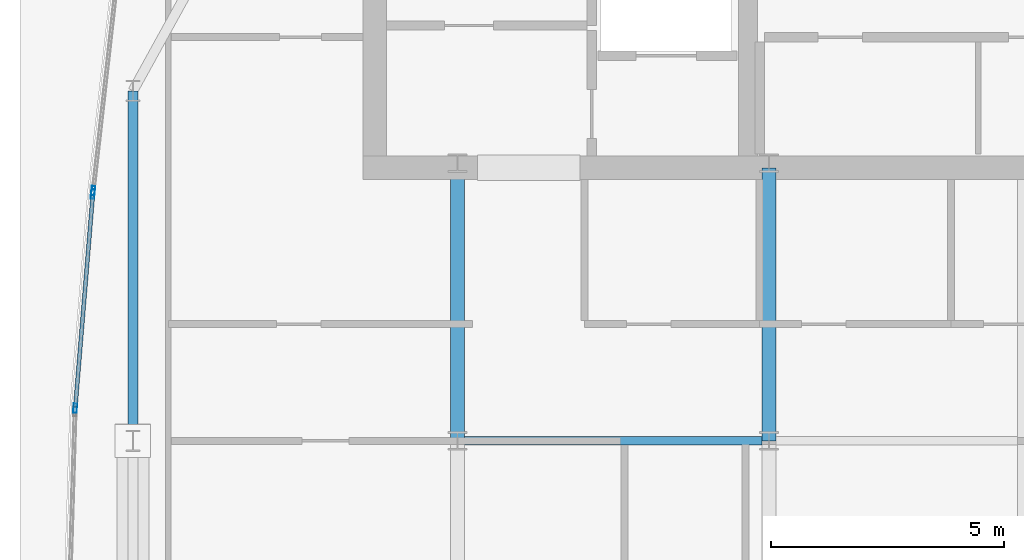
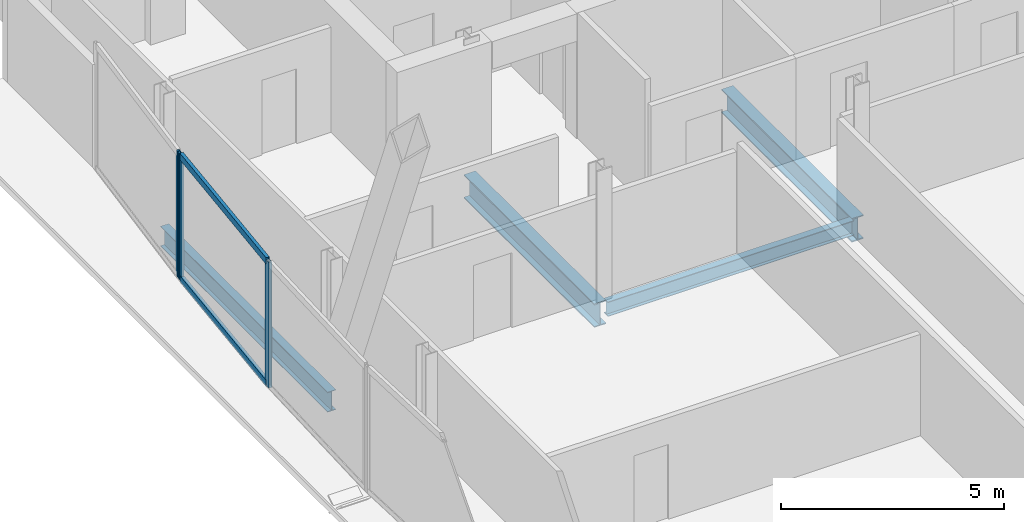
# One storey, part 10 of 28: 5 members, 4 beams, 2 elements without a shape of their own.
"""IFC4 building model written with IfcOpenShell, lengths in metres."""

from ifc_helpers import new_model, si_unit, direction, frame, origin, origin_2d, place, context, subcontext, project, spatial, hollow_rectangle, i_section, extrude, material, material_profile, profile_set, type_object, element, aggregate, save


model = new_model("IFC4")

# Units and contexts
model_context = context("Model", 3, precision=1e-05, world=origin(), true_north=direction((0.0, 1.0)))
body_context = subcontext(model_context, "Body", "Model", "MODEL_VIEW")
ifc_project = project(units=[si_unit("LENGTHUNIT", "METRE"), si_unit("AREAUNIT", "SQUARE_METRE"), si_unit("VOLUMEUNIT", "CUBIC_METRE"), si_unit("PLANEANGLEUNIT", "RADIAN"), si_unit("MASSUNIT", "GRAM", prefix="KILO")], contexts=[model_context])

# Site, building, storey
site_placement = place(None, origin())
site = spatial("IfcSite", under=ifc_project, at=site_placement, CompositionType="ELEMENT")
building_placement = place(site_placement, origin())
building = spatial("IfcBuilding", under=site, at=building_placement, Name="Khoronbel Lancet Exchange", CompositionType="ELEMENT")
storey_placement = place(building_placement, frame((0.0, 0.0, 291.39990234375)))
storey = spatial("IfcBuildingStorey", under=building, at=storey_placement, Name="L75", CompositionType="ELEMENT", Elevation=291.39990234375)

# Beams
ifc_material_1 = material(Name="Steel S355", Category="steel")
ifc_material_profile_1 = material_profile(ifc_material_1, i_section(OverallWidth=0.300048828125, OverallDepth=0.64990234375, WebThickness=0.01611328125, FlangeThickness=0.031005859375, at=origin_2d()), Name="HEB 650")
ifc_profile_set_1 = profile_set([ifc_material_profile_1], Name="Steel S355")
beam_type_1 = type_object("IfcBeamType", Name="BM-BG4", PredefinedType="BEAM", material=ifc_profile_set_1)
for number, where, z_axis, x_axis, name in (
    (1, (18.22509765625, 35.699951171875, -0.48486328125), (0.0, 1.0, 0.0), (-1.0, 0.0, 0.0), "Level L75 spine tie girder GN1"),
    (2, (24.89990234375, 35.699951171875, -0.48486328125), (0.0, 1.0, 0.0), (-1.0, 0.0, 0.0), "Level L75 spine tie girder GN2"),
):
    element("IfcBeam", number, at=place(storey_placement, frame(where, z_axis=z_axis, x_axis=x_axis)), inside=storey, type_object=beam_type_1, Name=name, PredefinedType="BEAM", context=body_context, shape_type="SweptSolid", body=[
        extrude(i_section(OverallWidth=0.300048828125, OverallDepth=0.64990234375, WebThickness=0.01611328125, FlangeThickness=0.031005859375, at=origin_2d()), origin(), (0.0, 0.0, 1.0), 5.85009765625),
    ])
ifc_material_profile_2 = material_profile(ifc_material_1, i_section(OverallWidth=0.179931640625, OverallDepth=0.39990234375, WebThickness=0.008544921875, FlangeThickness=0.013427734375, at=origin_2d()), Name="IPE 400")
ifc_profile_set_2 = profile_set([ifc_material_profile_2], Name="Steel S355")
beam_type_2 = type_object("IfcBeamType", Name="BM-BJ5", PredefinedType="JOIST", material=ifc_profile_set_2)
beam_1_placement = place(storey_placement, frame((18.375, 35.699951171875, -0.35986328125), z_axis=(1.0, 0.0, 0.0), x_axis=(0.0, 1.0, 0.0)))
element("IfcBeam", 3, at=beam_1_placement, inside=storey, type_object=beam_type_2, Name="Level L75 secondary composite joist J16", PredefinedType="JOIST", context=body_context, shape_type="SweptSolid", body=[
    extrude(i_section(OverallWidth=0.179931640625, OverallDepth=0.39990234375, WebThickness=0.008544921875, FlangeThickness=0.013427734375, at=origin_2d()), origin(), (0.0, 0.0, 1.0), 6.375),
])
ifc_material_profile_3 = material_profile(ifc_material_1, i_section(OverallWidth=0.2099609375, OverallDepth=0.550048828125, WebThickness=0.010986328125, FlangeThickness=0.01708984375, at=origin_2d()), Name="IPE 550")
ifc_profile_set_3 = profile_set([ifc_material_profile_3], Name="Steel S355")
beam_type_3 = type_object("IfcBeamType", Name="BM-BSP3", PredefinedType="SPANDREL", material=ifc_profile_set_3)
beam_2_placement = place(storey_placement, frame((11.27001953125, 43.199951171875, -0.434814453125), z_axis=(0.0, -1.0, 0.0), x_axis=(1.0, 0.0, 0.0)))
element("IfcBeam", 4, at=beam_2_placement, inside=storey, type_object=beam_type_3, Name="Level L75 perimeter spandrel beam SP15", PredefinedType="SPANDREL", context=body_context, shape_type="SweptSolid", body=[
    extrude(i_section(OverallWidth=0.2099609375, OverallDepth=0.550048828125, WebThickness=0.010986328125, FlangeThickness=0.01708984375, at=origin_2d()), origin(), (0.0, 0.0, 1.0), 7.5),
])

# Curtain wall, members
ifc_material_2 = material(Name="Low-E Solar Control Insulating Glass", Category="glass")
curtain_wall_type = type_object("IfcCurtainWallType", Name="CW-4", PredefinedType="NOTDEFINED", material=ifc_material_2)
curtain_wall_1_placement = place(storey_placement, origin())
curtain_wall_1 = element("IfcCurtainWall", 5, at=curtain_wall_1_placement, inside=storey, type_object=curtain_wall_type, Name="Unitised curtain wall CW-L75-E08", PredefinedType="NOTDEFINED")
ifc_material_3 = material(Name="Bronze-Anodised Aluminium 6063-T6", Category="aluminium")
ifc_material_profile_4 = material_profile(ifc_material_3, hollow_rectangle(XDim=0.074951171875, YDim=0.199951171875, WallThickness=0.0048828125, at=origin_2d()), Name="ALU MULLION 75x200")
ifc_profile_set_4 = profile_set([ifc_material_profile_4], Name="Bronze-Anodised Aluminium 6063-T6")
member_type_1 = type_object("IfcMemberType", Name="MEM-CWM2", PredefinedType="MULLION", material=ifc_profile_set_4)
member_1_placement = place(storey_placement, frame((10.03369140625, 36.39892578125, 0.0), z_axis=(0.0, 0.0, 1.0), x_axis=(-0.996626353667, 0.082072596992, 0.0)))
member_1 = element("IfcMember", 6, at=member_1_placement, type_object=member_type_1, Name="CW4 mullion 1", PredefinedType="MULLION", context=body_context, shape_type="SweptSolid", body=[
    extrude(hollow_rectangle(XDim=0.074951171875, YDim=0.199951171875, WallThickness=0.0048828125, at=origin_2d()), origin(), (0.0, 0.0, 1.0), 3.440185546875),
])
member_2_placement = place(storey_placement, frame((10.41162109375, 40.9873046875, 0.0), z_axis=(0.0, 0.0, 1.0), x_axis=(-0.996626353667, 0.082072596992, 0.0)))
member_2 = element("IfcMember", 7, at=member_2_placement, type_object=member_type_1, Name="CW4 mullion 2", PredefinedType="MULLION", context=body_context, shape_type="SweptSolid", body=[
    extrude(hollow_rectangle(XDim=0.074951171875, YDim=0.199951171875, WallThickness=0.0048828125, at=origin_2d()), origin(), (0.0, 0.0, 1.0), 3.440185546875),
])

# Curtain wall, member
curtain_wall_2_placement = place(storey_placement, origin())
curtain_wall_2 = element("IfcCurtainWall", 8, at=curtain_wall_2_placement, inside=storey, type_object=curtain_wall_type, Name="Unitised curtain wall CW-L75-E09", PredefinedType="NOTDEFINED")
member_3_placement = place(storey_placement, frame((10.418701171875, 41.061767578125, 0.0), z_axis=(0.0, 0.0, 1.0), x_axis=(-0.993731788903, 0.111790570813, 0.0)))
member_3 = element("IfcMember", 9, at=member_3_placement, type_object=member_type_1, Name="CW4 mullion 1", PredefinedType="MULLION", context=body_context, shape_type="SweptSolid", body=[
    extrude(hollow_rectangle(XDim=0.074951171875, YDim=0.199951171875, WallThickness=0.0048828125, at=origin_2d()), origin(), (0.0, 0.0, 1.0), 3.440185546875),
])
aggregate(curtain_wall_2, [member_3])

# Member
ifc_material_profile_5 = material_profile(ifc_material_3, hollow_rectangle(XDim=0.0849609375, YDim=0.179931640625, WallThickness=0.0048828125, at=origin_2d()), Name="ALU TRANSOM 85x180")
ifc_profile_set_5 = profile_set([ifc_material_profile_5], Name="Bronze-Anodised Aluminium 6063-T6")
member_type_2 = type_object("IfcMemberType", Name="MEM-CWT1", PredefinedType="USERDEFINED", material=ifc_profile_set_5)
member_4_placement = place(storey_placement, frame((10.036865234375, 36.436279296875, 0.04248046875), z_axis=(0.082046117944, 0.996628533873, 0.0), x_axis=(-0.996628533873, 0.082046117944, 0.0)))
member_4 = element("IfcMember", 10, at=member_4_placement, type_object=member_type_2, Name="CW4 transom 1.1", ObjectType="TRANSOM", PredefinedType="USERDEFINED", context=body_context, shape_type="SweptSolid", body=[
    extrude(hollow_rectangle(XDim=0.0849609375, YDim=0.179931640625, WallThickness=0.0048828125, at=origin_2d()), origin(), (0.0, 0.0, 1.0), 4.529052734375),
])

member_5_placement = place(storey_placement, frame((10.036865234375, 36.436279296875, 3.397705078125), z_axis=(0.082046117944, 0.996628533873, 0.0), x_axis=(-0.996628533873, 0.082046117944, 0.0)))
member_5 = element("IfcMember", 11, at=member_5_placement, type_object=member_type_2, Name="CW4 transom 1.2", ObjectType="TRANSOM", PredefinedType="USERDEFINED", context=body_context, shape_type="SweptSolid", body=[
    extrude(hollow_rectangle(XDim=0.0849609375, YDim=0.179931640625, WallThickness=0.0048828125, at=origin_2d()), origin(), (0.0, 0.0, 1.0), 4.529052734375),
])

aggregate(curtain_wall_1, [member_1, member_2, member_4, member_5])

save(model, "model.ifc")
